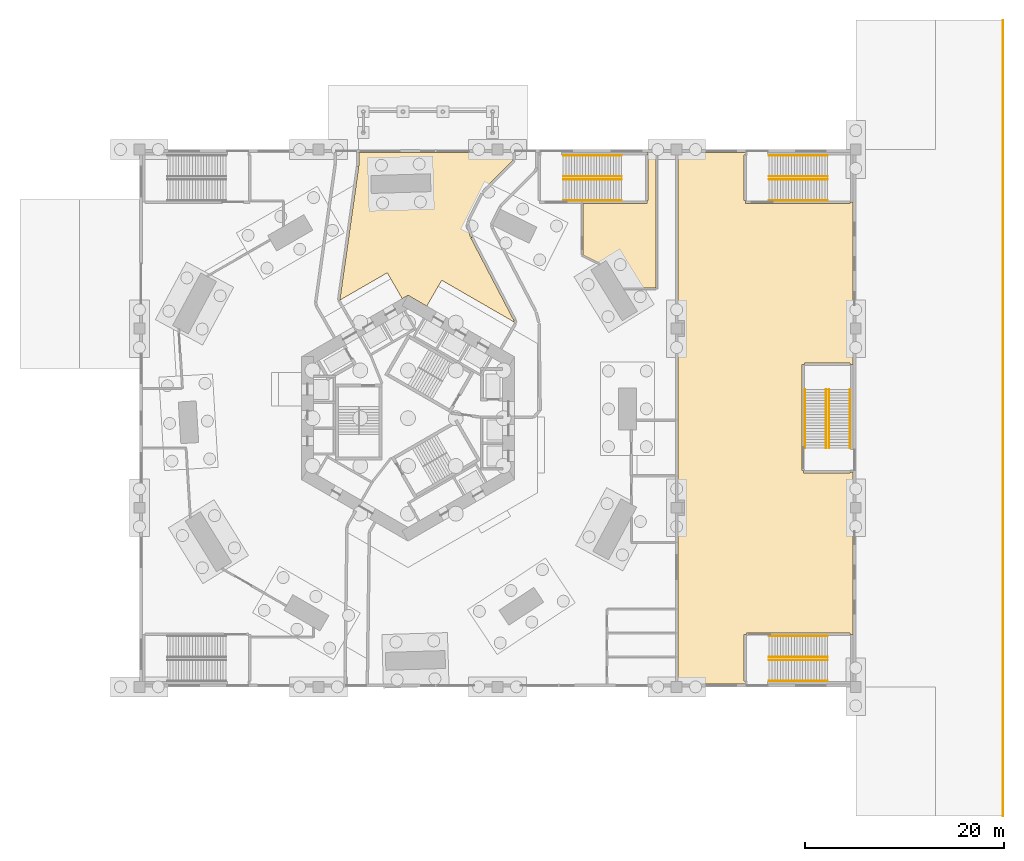
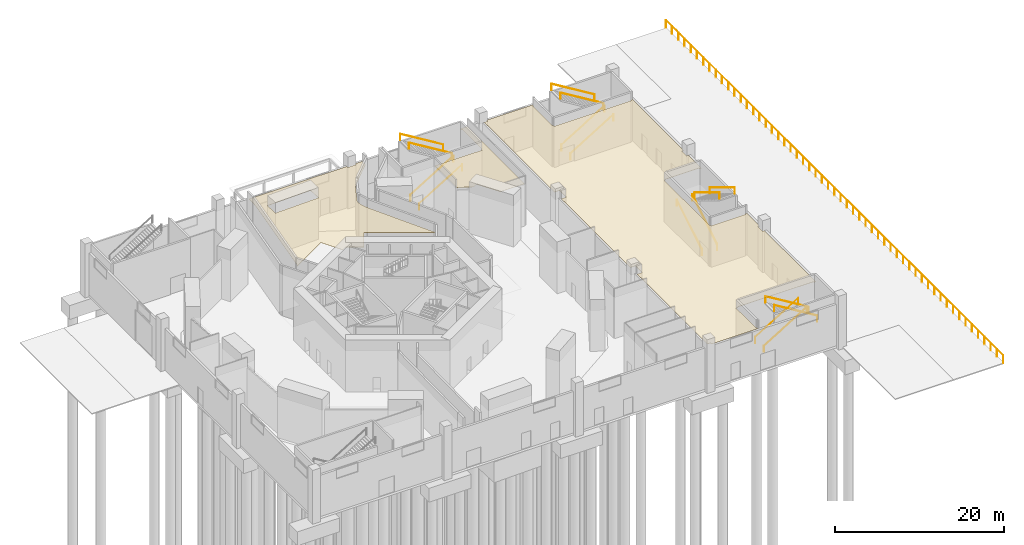
# One storey, part 15 of 16: 17 railings, 3 coverings.
"""IFC4 building model written with IfcOpenShell, lengths in metres."""

from ifc_helpers import new_model, si_unit, direction, frame, origin, origin_2d, place, context, subcontext, project, spatial, polyline, circle, outline, extrude, material, layer, layer_set, type_object, element, save


model = new_model("IFC4")

# Units and contexts
model_context = context("Model", 3, precision=1e-05, world=origin(), true_north=direction((0.0, 1.0)))
body_context = subcontext(model_context, "Body", "Model", "MODEL_VIEW")
ifc_project = project(units=[si_unit("LENGTHUNIT", "METRE"), si_unit("AREAUNIT", "SQUARE_METRE"), si_unit("VOLUMEUNIT", "CUBIC_METRE"), si_unit("PLANEANGLEUNIT", "RADIAN"), si_unit("MASSUNIT", "GRAM", prefix="KILO")], contexts=[model_context])

# Site, building, storey
site_placement = place(None, origin())
site = spatial("IfcSite", under=ifc_project, at=site_placement, CompositionType="ELEMENT")
building_placement = place(site_placement, origin())
building = spatial("IfcBuilding", under=site, at=building_placement, Name="Vanh Sen Convention Tower", CompositionType="ELEMENT")
storey_placement = place(building_placement, origin())
storey = spatial("IfcBuildingStorey", under=building, at=storey_placement, Name="L00", CompositionType="ELEMENT", Elevation=0.0)

# Railings
ifc_material_1 = material(Name="Stainless steel", Category="steel")
railing_type_1 = type_object("IfcRailingType", Name="Podium handrail 900", PredefinedType="HANDRAIL", material=ifc_material_1)
for number, where, name in (
    (1, (36.300048828125, 21.89990234375, 0.17041015625), "Handrail PS1 L00"),
    (2, (36.300048828125, 24.0, 0.17041015625), "Handrail PS1 L00"),
):
    element("IfcRailing", number, at=place(storey_placement, frame(where)), inside=storey, type_object=railing_type_1, Name=name, PredefinedType="HANDRAIL", context=body_context, shape_type="SweptSolid", body=[
        extrude(circle(Radius=0.02392578125, at=origin_2d()), frame((0.0, 0.0, 0.8759765625), z_axis=(0.854164310681, 0.0, 0.520003202259), x_axis=(0.0, 1.0, 0.0)), (0.0, 0.0, 1.0), 6.8837890625),
        extrude(circle(Radius=0.02099609375, at=origin_2d()), origin(), (0.0, 0.0, 1.0), 0.851806640625),
        extrude(circle(Radius=0.02099609375, at=origin_2d()), frame((5.8798828125, 0.0, 3.57958984375)), (0.0, 0.0, 1.0), 0.851806640625),
    ])
for number, where, name in (
    (3, (42.179931640625, 26.39990234375, 3.92041015625), "Handrail PS1 L00"),
    (4, (42.179931640625, 24.300048828125, 3.92041015625), "Handrail PS1 L00"),
):
    element("IfcRailing", number, at=place(storey_placement, frame(where)), inside=storey, type_object=railing_type_1, Name=name, PredefinedType="HANDRAIL", context=body_context, shape_type="SweptSolid", body=[
        extrude(circle(Radius=0.02392578125, at=origin_2d()), frame((0.0, 0.0, 0.8759765625), z_axis=(-0.854164310681, 0.0, 0.520003202259), x_axis=(0.0, -1.0, 0.0)), (0.0, 0.0, 1.0), 6.8837890625),
        extrude(circle(Radius=0.02099609375, at=origin_2d()), origin(), (0.0, 0.0, 1.0), 0.851806640625),
        extrude(circle(Radius=0.02099609375, at=origin_2d()), frame((-5.8798828125, 0.0, 3.57958984375)), (0.0, 0.0, 1.0), 0.851806640625),
    ])
for number, where, name in (
    (5, (36.300048828125, -21.89990234375, 0.17041015625), "Handrail PS2 L00"),
    (6, (36.300048828125, -24.0, 0.17041015625), "Handrail PS2 L00"),
):
    element("IfcRailing", number, at=place(storey_placement, frame(where)), inside=storey, type_object=railing_type_1, Name=name, PredefinedType="HANDRAIL", context=body_context, shape_type="SweptSolid", body=[
        extrude(circle(Radius=0.02392578125, at=origin_2d()), frame((0.0, 0.0, 0.8759765625), z_axis=(0.854164310681, 0.0, 0.520003202259), x_axis=(0.0, 1.0, 0.0)), (0.0, 0.0, 1.0), 6.8837890625),
        extrude(circle(Radius=0.02099609375, at=origin_2d()), origin(), (0.0, 0.0, 1.0), 0.851806640625),
        extrude(circle(Radius=0.02099609375, at=origin_2d()), frame((5.8798828125, 0.0, 3.57958984375)), (0.0, 0.0, 1.0), 0.851806640625),
    ])
for number, where, name in (
    (7, (42.179931640625, -26.39990234375, 3.92041015625), "Handrail PS2 L00"),
    (8, (42.179931640625, -24.300048828125, 3.92041015625), "Handrail PS2 L00"),
):
    element("IfcRailing", number, at=place(storey_placement, frame(where)), inside=storey, type_object=railing_type_1, Name=name, PredefinedType="HANDRAIL", context=body_context, shape_type="SweptSolid", body=[
        extrude(circle(Radius=0.02392578125, at=origin_2d()), frame((0.0, 0.0, 0.8759765625), z_axis=(-0.854164310681, 0.0, 0.520003202259), x_axis=(0.0, -1.0, 0.0)), (0.0, 0.0, 1.0), 6.8837890625),
        extrude(circle(Radius=0.02099609375, at=origin_2d()), origin(), (0.0, 0.0, 1.0), 0.851806640625),
        extrude(circle(Radius=0.02099609375, at=origin_2d()), frame((-5.8798828125, 0.0, 3.57958984375)), (0.0, 0.0, 1.0), 0.851806640625),
    ])
for number, where, name in (
    (9, (39.89990234375, -3.0, 0.17041015625), "Handrail PS3 L00"),
    (10, (42.0, -3.0, 0.17041015625), "Handrail PS3 L00"),
):
    element("IfcRailing", number, at=place(storey_placement, frame(where)), inside=storey, type_object=railing_type_1, Name=name, PredefinedType="HANDRAIL", context=body_context, shape_type="SweptSolid", body=[
        extrude(circle(Radius=0.02392578125, at=origin_2d()), frame((0.0, 0.0, 0.8759765625), z_axis=(0.0, 0.854164310681, 0.520003202259), x_axis=(-1.0, 0.0, 0.0)), (0.0, 0.0, 1.0), 6.8837890625),
        extrude(circle(Radius=0.02099609375, at=origin_2d()), origin(), (0.0, 0.0, 1.0), 0.851806640625),
        extrude(circle(Radius=0.02099609375, at=origin_2d()), frame((0.0, 5.8798828125, 3.57958984375)), (0.0, 0.0, 1.0), 0.851806640625),
    ])
for number, where, name in (
    (11, (44.39990234375, 2.8798828125, 3.92041015625), "Handrail PS3 L00"),
    (12, (42.300048828125, 2.8798828125, 3.92041015625), "Handrail PS3 L00"),
):
    element("IfcRailing", number, at=place(storey_placement, frame(where)), inside=storey, type_object=railing_type_1, Name=name, PredefinedType="HANDRAIL", context=body_context, shape_type="SweptSolid", body=[
        extrude(circle(Radius=0.02392578125, at=origin_2d()), frame((0.0, 0.0, 0.8759765625), z_axis=(0.0, -0.854164310681, 0.520003202259), x_axis=(1.0, 0.0, 0.0)), (0.0, 0.0, 1.0), 6.8837890625),
        extrude(circle(Radius=0.02099609375, at=origin_2d()), origin(), (0.0, 0.0, 1.0), 0.851806640625),
        extrude(circle(Radius=0.02099609375, at=origin_2d()), frame((0.0, -5.8798828125, 3.57958984375)), (0.0, 0.0, 1.0), 0.851806640625),
    ])
for number, where, name in (
    (13, (15.60009765625, 21.89990234375, 0.17041015625), "Handrail PS4 L00"),
    (14, (15.60009765625, 24.0, 0.17041015625), "Handrail PS4 L00"),
):
    element("IfcRailing", number, at=place(storey_placement, frame(where)), inside=storey, type_object=railing_type_1, Name=name, PredefinedType="HANDRAIL", context=body_context, shape_type="SweptSolid", body=[
        extrude(circle(Radius=0.02392578125, at=origin_2d()), frame((0.0, 0.0, 0.8759765625), z_axis=(0.854164310681, 0.0, 0.520003202259), x_axis=(0.0, 1.0, 0.0)), (0.0, 0.0, 1.0), 6.8837890625),
        extrude(circle(Radius=0.02099609375, at=origin_2d()), origin(), (0.0, 0.0, 1.0), 0.851806640625),
        extrude(circle(Radius=0.02099609375, at=origin_2d()), frame((5.8798828125, 0.0, 3.57958984375)), (0.0, 0.0, 1.0), 0.851806640625),
    ])
for number, where, name in (
    (15, (21.47998046875, 26.39990234375, 3.92041015625), "Handrail PS4 L00"),
    (16, (21.47998046875, 24.300048828125, 3.92041015625), "Handrail PS4 L00"),
):
    element("IfcRailing", number, at=place(storey_placement, frame(where)), inside=storey, type_object=railing_type_1, Name=name, PredefinedType="HANDRAIL", context=body_context, shape_type="SweptSolid", body=[
        extrude(circle(Radius=0.02392578125, at=origin_2d()), frame((0.0, 0.0, 0.8759765625), z_axis=(-0.854164310681, 0.0, 0.520003202259), x_axis=(0.0, -1.0, 0.0)), (0.0, 0.0, 1.0), 6.8837890625),
        extrude(circle(Radius=0.02099609375, at=origin_2d()), origin(), (0.0, 0.0, 1.0), 0.851806640625),
        extrude(circle(Radius=0.02099609375, at=origin_2d()), frame((-5.8798828125, 0.0, 3.57958984375)), (0.0, 0.0, 1.0), 0.851806640625),
    ])
ifc_material_2 = material(Name="Stainless steel posts with toughened glass infill", Category="steel")
railing_type_2 = type_object("IfcRailingType", Name="Promenade edge guard 1150", PredefinedType="GUARDRAIL", material=ifc_material_2)
railing_placement = place(storey_placement, frame((59.800048828125, -40.0, 0.0)))
element("IfcRailing", 17, at=railing_placement, inside=storey, type_object=railing_type_2, Name="Promenade river edge guard", PredefinedType="GUARDRAIL", context=body_context, shape_type="SweptSolid", body=[
    extrude(circle(Radius=0.02392578125, at=origin_2d()), frame((0.0, 0.0, 1.1259765625), z_axis=(0.0, 1.0, 0.0), x_axis=(-1.0, 0.0, 0.0)), (0.0, 0.0, 1.0), 80.0),
    extrude(circle(Radius=0.02099609375, at=origin_2d()), origin(), (0.0, 0.0, 1.0), 1.101806640625),
    extrude(circle(Radius=0.02099609375, at=origin_2d()), frame((0.0, 1.4814453125, 0.0)), (0.0, 0.0, 1.0), 1.101806640625),
    extrude(circle(Radius=0.02099609375, at=origin_2d()), frame((0.0, 2.962890625, 0.0)), (0.0, 0.0, 1.0), 1.101806640625),
    extrude(circle(Radius=0.02099609375, at=origin_2d()), frame((0.0, 4.4443359375, 0.0)), (0.0, 0.0, 1.0), 1.101806640625),
    extrude(circle(Radius=0.02099609375, at=origin_2d()), frame((0.0, 5.926025390625, 0.0)), (0.0, 0.0, 1.0), 1.101806640625),
    extrude(circle(Radius=0.02099609375, at=origin_2d()), frame((0.0, 7.407470703125, 0.0)), (0.0, 0.0, 1.0), 1.101806640625),
    extrude(circle(Radius=0.02099609375, at=origin_2d()), frame((0.0, 8.888916015625, 0.0)), (0.0, 0.0, 1.0), 1.101806640625),
    extrude(circle(Radius=0.02099609375, at=origin_2d()), frame((0.0, 10.370361328125, 0.0)), (0.0, 0.0, 1.0), 1.101806640625),
    extrude(circle(Radius=0.02099609375, at=origin_2d()), frame((0.0, 11.851806640625, 0.0)), (0.0, 0.0, 1.0), 1.101806640625),
    extrude(circle(Radius=0.02099609375, at=origin_2d()), frame((0.0, 13.333251953125, 0.0)), (0.0, 0.0, 1.0), 1.101806640625),
    extrude(circle(Radius=0.02099609375, at=origin_2d()), frame((0.0, 14.814697265625, 0.0)), (0.0, 0.0, 1.0), 1.101806640625),
    extrude(circle(Radius=0.02099609375, at=origin_2d()), frame((0.0, 16.29638671875, 0.0)), (0.0, 0.0, 1.0), 1.101806640625),
    extrude(circle(Radius=0.02099609375, at=origin_2d()), frame((0.0, 17.77783203125, 0.0)), (0.0, 0.0, 1.0), 1.101806640625),
    extrude(circle(Radius=0.02099609375, at=origin_2d()), frame((0.0, 19.25927734375, 0.0)), (0.0, 0.0, 1.0), 1.101806640625),
    extrude(circle(Radius=0.02099609375, at=origin_2d()), frame((0.0, 20.74072265625, 0.0)), (0.0, 0.0, 1.0), 1.101806640625),
    extrude(circle(Radius=0.02099609375, at=origin_2d()), frame((0.0, 22.22216796875, 0.0)), (0.0, 0.0, 1.0), 1.101806640625),
    extrude(circle(Radius=0.02099609375, at=origin_2d()), frame((0.0, 23.70361328125, 0.0)), (0.0, 0.0, 1.0), 1.101806640625),
    extrude(circle(Radius=0.02099609375, at=origin_2d()), frame((0.0, 25.185302734375, 0.0)), (0.0, 0.0, 1.0), 1.101806640625),
    extrude(circle(Radius=0.02099609375, at=origin_2d()), frame((0.0, 26.666748046875, 0.0)), (0.0, 0.0, 1.0), 1.101806640625),
    extrude(circle(Radius=0.02099609375, at=origin_2d()), frame((0.0, 28.148193359375, 0.0)), (0.0, 0.0, 1.0), 1.101806640625),
    extrude(circle(Radius=0.02099609375, at=origin_2d()), frame((0.0, 29.629638671875, 0.0)), (0.0, 0.0, 1.0), 1.101806640625),
    extrude(circle(Radius=0.02099609375, at=origin_2d()), frame((0.0, 31.111083984375, 0.0)), (0.0, 0.0, 1.0), 1.101806640625),
    extrude(circle(Radius=0.02099609375, at=origin_2d()), frame((0.0, 32.592529296875, 0.0)), (0.0, 0.0, 1.0), 1.101806640625),
    extrude(circle(Radius=0.02099609375, at=origin_2d()), frame((0.0, 34.073974609375, 0.0)), (0.0, 0.0, 1.0), 1.101806640625),
    extrude(circle(Radius=0.02099609375, at=origin_2d()), frame((0.0, 35.5556640625, 0.0)), (0.0, 0.0, 1.0), 1.101806640625),
    extrude(circle(Radius=0.02099609375, at=origin_2d()), frame((0.0, 37.037109375, 0.0)), (0.0, 0.0, 1.0), 1.101806640625),
    extrude(circle(Radius=0.02099609375, at=origin_2d()), frame((0.0, 38.5185546875, 0.0)), (0.0, 0.0, 1.0), 1.101806640625),
    extrude(circle(Radius=0.02099609375, at=origin_2d()), frame((0.0, 40.0, 0.0)), (0.0, 0.0, 1.0), 1.101806640625),
    extrude(circle(Radius=0.02099609375, at=origin_2d()), frame((0.0, 41.4814453125, 0.0)), (0.0, 0.0, 1.0), 1.101806640625),
    extrude(circle(Radius=0.02099609375, at=origin_2d()), frame((0.0, 42.962890625, 0.0)), (0.0, 0.0, 1.0), 1.101806640625),
    extrude(circle(Radius=0.02099609375, at=origin_2d()), frame((0.0, 44.4443359375, 0.0)), (0.0, 0.0, 1.0), 1.101806640625),
    extrude(circle(Radius=0.02099609375, at=origin_2d()), frame((0.0, 45.926025390625, 0.0)), (0.0, 0.0, 1.0), 1.101806640625),
    extrude(circle(Radius=0.02099609375, at=origin_2d()), frame((0.0, 47.407470703125, 0.0)), (0.0, 0.0, 1.0), 1.101806640625),
    extrude(circle(Radius=0.02099609375, at=origin_2d()), frame((0.0, 48.888916015625, 0.0)), (0.0, 0.0, 1.0), 1.101806640625),
    extrude(circle(Radius=0.02099609375, at=origin_2d()), frame((0.0, 50.370361328125, 0.0)), (0.0, 0.0, 1.0), 1.101806640625),
    extrude(circle(Radius=0.02099609375, at=origin_2d()), frame((0.0, 51.851806640625, 0.0)), (0.0, 0.0, 1.0), 1.101806640625),
    extrude(circle(Radius=0.02099609375, at=origin_2d()), frame((0.0, 53.333251953125, 0.0)), (0.0, 0.0, 1.0), 1.101806640625),
    extrude(circle(Radius=0.02099609375, at=origin_2d()), frame((0.0, 54.814697265625, 0.0)), (0.0, 0.0, 1.0), 1.101806640625),
    extrude(circle(Radius=0.02099609375, at=origin_2d()), frame((0.0, 56.29638671875, 0.0)), (0.0, 0.0, 1.0), 1.101806640625),
    extrude(circle(Radius=0.02099609375, at=origin_2d()), frame((0.0, 57.77783203125, 0.0)), (0.0, 0.0, 1.0), 1.101806640625),
    extrude(circle(Radius=0.02099609375, at=origin_2d()), frame((0.0, 59.25927734375, 0.0)), (0.0, 0.0, 1.0), 1.101806640625),
    extrude(circle(Radius=0.02099609375, at=origin_2d()), frame((0.0, 60.74072265625, 0.0)), (0.0, 0.0, 1.0), 1.101806640625),
    extrude(circle(Radius=0.02099609375, at=origin_2d()), frame((0.0, 62.22216796875, 0.0)), (0.0, 0.0, 1.0), 1.101806640625),
    extrude(circle(Radius=0.02099609375, at=origin_2d()), frame((0.0, 63.70361328125, 0.0)), (0.0, 0.0, 1.0), 1.101806640625),
    extrude(circle(Radius=0.02099609375, at=origin_2d()), frame((0.0, 65.185302734375, 0.0)), (0.0, 0.0, 1.0), 1.101806640625),
    extrude(circle(Radius=0.02099609375, at=origin_2d()), frame((0.0, 66.666748046875, 0.0)), (0.0, 0.0, 1.0), 1.101806640625),
    extrude(circle(Radius=0.02099609375, at=origin_2d()), frame((0.0, 68.148193359375, 0.0)), (0.0, 0.0, 1.0), 1.101806640625),
    extrude(circle(Radius=0.02099609375, at=origin_2d()), frame((0.0, 69.629638671875, 0.0)), (0.0, 0.0, 1.0), 1.101806640625),
    extrude(circle(Radius=0.02099609375, at=origin_2d()), frame((0.0, 71.111083984375, 0.0)), (0.0, 0.0, 1.0), 1.101806640625),
    extrude(circle(Radius=0.02099609375, at=origin_2d()), frame((0.0, 72.592529296875, 0.0)), (0.0, 0.0, 1.0), 1.101806640625),
    extrude(circle(Radius=0.02099609375, at=origin_2d()), frame((0.0, 74.073974609375, 0.0)), (0.0, 0.0, 1.0), 1.101806640625),
    extrude(circle(Radius=0.02099609375, at=origin_2d()), frame((0.0, 75.5556640625, 0.0)), (0.0, 0.0, 1.0), 1.101806640625),
    extrude(circle(Radius=0.02099609375, at=origin_2d()), frame((0.0, 77.037109375, 0.0)), (0.0, 0.0, 1.0), 1.101806640625),
    extrude(circle(Radius=0.02099609375, at=origin_2d()), frame((0.0, 78.5185546875, 0.0)), (0.0, 0.0, 1.0), 1.101806640625),
    extrude(circle(Radius=0.02099609375, at=origin_2d()), frame((0.0, 80.0, 0.0)), (0.0, 0.0, 1.0), 1.101806640625),
])

# Coverings
ifc_material_3 = material(Name="Mineral fibre tiles in a concealed grid")
ifc_layer = layer(ifc_material_3, 0.0400390625)
ifc_layer_set = layer_set([ifc_layer], Name="Mineral fibre tiles in a concealed grid")
covering_type = type_object("IfcCoveringType", Name="Suspended ceiling 600 x 600 tile", PredefinedType="CEILING", material=ifc_layer_set)
covering_1_placement = place(storey_placement, frame((0.0, 0.0, 5.9599609375)))
element("IfcCovering", 18, at=covering_1_placement, inside=storey, type_object=covering_type, Name="Suspended ceiling CL3 Exhibition hall", PredefinedType="CEILING", context=body_context, shape_type="SweptSolid", body=[
    extrude(outline(polyline([(33.77490234375, 26.43994140625), (33.89990234375, 26.43994140625), (33.89990234375, 26.699951171875), (27.550048828125, 26.699951171875), (27.550048828125, 26.449951171875), (27.125, 26.449951171875), (27.125, 9.800048828125), (27.802001953125, 9.800048828125), (27.802001953125, 9.550048828125), (27.802001953125, 8.449951171875), (27.802001953125, 8.199951171875), (27.125, 8.199951171875), (27.125, -0.199951171875), (27.125, -5.800048828125), (27.125, -8.199951171875), (27.802001953125, -8.199951171875), (27.802001953125, -8.449951171875), (27.802001953125, -9.550048828125), (27.802001953125, -9.800048828125), (27.125, -9.800048828125), (27.125, -12.5), (27.125, -19.199951171875), (27.125, -21.60009765625), (27.125, -24.0), (27.125, -26.449951171875), (27.550048828125, -26.449951171875), (27.550048828125, -26.699951171875), (33.89990234375, -26.699951171875), (33.89990234375, -26.43994140625), (33.77490234375, -26.43994140625), (33.77490234375, -21.72509765625), (33.89990234375, -21.72509765625), (34.02490234375, -21.72509765625), (34.0400390625, -21.72509765625), (34.0400390625, -21.60009765625), (44.43994140625, -21.60009765625), (44.43994140625, -21.72509765625), (44.699951171875, -21.72509765625), (44.699951171875, -9.550048828125), (44.449951171875, -9.550048828125), (44.449951171875, -8.449951171875), (44.699951171875, -8.449951171875), (44.699951171875, -5.39990234375), (44.43994140625, -5.39990234375), (44.43994140625, -5.52490234375), (39.72509765625, -5.52490234375), (39.72509765625, -5.39990234375), (39.72509765625, -5.27490234375), (39.72509765625, -5.260009765625), (39.60009765625, -5.260009765625), (39.60009765625, 5.39990234375), (39.72509765625, 5.39990234375), (39.85009765625, 5.39990234375), (39.864990234375, 5.39990234375), (39.864990234375, 5.52490234375), (44.43994140625, 5.52490234375), (44.43994140625, 5.39990234375), (44.699951171875, 5.39990234375), (44.699951171875, 8.449951171875), (44.449951171875, 8.449951171875), (44.449951171875, 9.550048828125), (44.699951171875, 9.550048828125), (44.699951171875, 21.72509765625), (44.43994140625, 21.72509765625), (44.43994140625, 21.60009765625), (33.89990234375, 21.60009765625), (33.89990234375, 21.72509765625), (33.89990234375, 21.85009765625), (33.89990234375, 21.864990234375), (33.77490234375, 21.864990234375), (33.77490234375, 26.43994140625)])), origin(), (0.0, 0.0, 1.0), 0.0400390625),
])
covering_2_placement = place(storey_placement, frame((0.0, 0.0, 5.9599609375)))
element("IfcCovering", 19, at=covering_2_placement, inside=storey, type_object=covering_type, Name="Suspended ceiling CL3 Registration and concierge", PredefinedType="CEILING", context=body_context, shape_type="SweptSolid", body=[
    extrude(outline(polyline([(24.919921875, 13.074951171875), (24.919921875, 13.0), (24.925048828125, 13.0), (24.925048828125, 26.699951171875), (24.0, 26.699951171875), (24.0, 26.43994140625), (24.125, 26.43994140625), (24.125, 21.864990234375), (24.0, 21.864990234375), (24.0, 21.85009765625), (24.0, 21.72509765625), (24.0, 21.60009765625), (17.5, 21.60009765625), (17.5, 21.5849609375), (17.574951171875, 21.5849609375), (17.574951171875, 16.42041015625), (17.547607421875, 16.42041015625), (19.325927734375, 15.533935546875), (19.29248046875, 15.466552734375), (19.90087890625, 15.843017578125), (21.660400390625, 13.0), (21.660400390625, 13.0), (21.660400390625, 13.074951171875), (24.919921875, 13.074951171875)])), origin(), (0.0, 0.0, 1.0), 0.0400390625),
])
covering_3_placement = place(storey_placement, frame((0.0, 0.0, 5.9599609375)))
element("IfcCovering", 20, at=covering_3_placement, inside=storey, type_object=covering_type, Name="Suspended ceiling CL3 Foyer north", PredefinedType="CEILING", context=body_context, shape_type="SweptSolid", body=[
    extrude(outline(polyline([(-4.949951171875, 25.360595703125), (-5.074951171875, 25.360595703125), (-5.08056640625, 25.281494140625), (-4.95654296875, 25.263916015625), (-6.8515625, 11.864501953125), (-6.9755859375, 11.882080078125), (-6.9365234375, 11.814453125), (-2.0869140625, 14.614501953125), (-0.5869140625, 12.0166015625), (0.0, 12.35546875), (1.885986328125, 11.2666015625), (3.385986328125, 13.864501953125), (10.680419921875, 9.653076171875), (10.634521484375, 9.823974609375), (10.755615234375, 9.8564453125), (10.7451171875, 9.89501953125), (10.634033203125, 9.8369140625), (6.323974609375, 18.0869140625), (6.43505859375, 18.14501953125), (6.400390625, 18.2275390625), (6.281982421875, 18.18798828125), (5.89306640625, 19.349609375), (6.011474609375, 19.388916015625), (6.014404296875, 19.428955078125), (5.889404296875, 19.4375), (5.91796875, 19.843994140625), (6.04248046875, 19.83544921875), (6.060546875, 19.87158203125), (5.948486328125, 19.927001953125), (7.301513671875, 22.6416015625), (7.41357421875, 22.58544921875), (7.52099609375, 22.734619140625), (7.43310546875, 22.822998046875), (10.577880859375, 25.947998046875), (10.550048828125, 25.947998046875), (10.550048828125, 26.699951171875), (9.550048828125, 26.699951171875), (9.550048828125, 26.449951171875), (8.449951171875, 26.449951171875), (8.449951171875, 26.699951171875), (-4.949951171875, 26.699951171875), (-4.949951171875, 25.360595703125)]), holes=[polyline([(2.250732421875, 24.568359375), (-3.746337890625, 24.38525390625), (-3.69140625, 22.5859375), (2.305908203125, 22.769287109375), (2.250732421875, 24.568359375)])]), origin(), (0.0, 0.0, 1.0), 0.0400390625),
])

save(model, "model.ifc")
